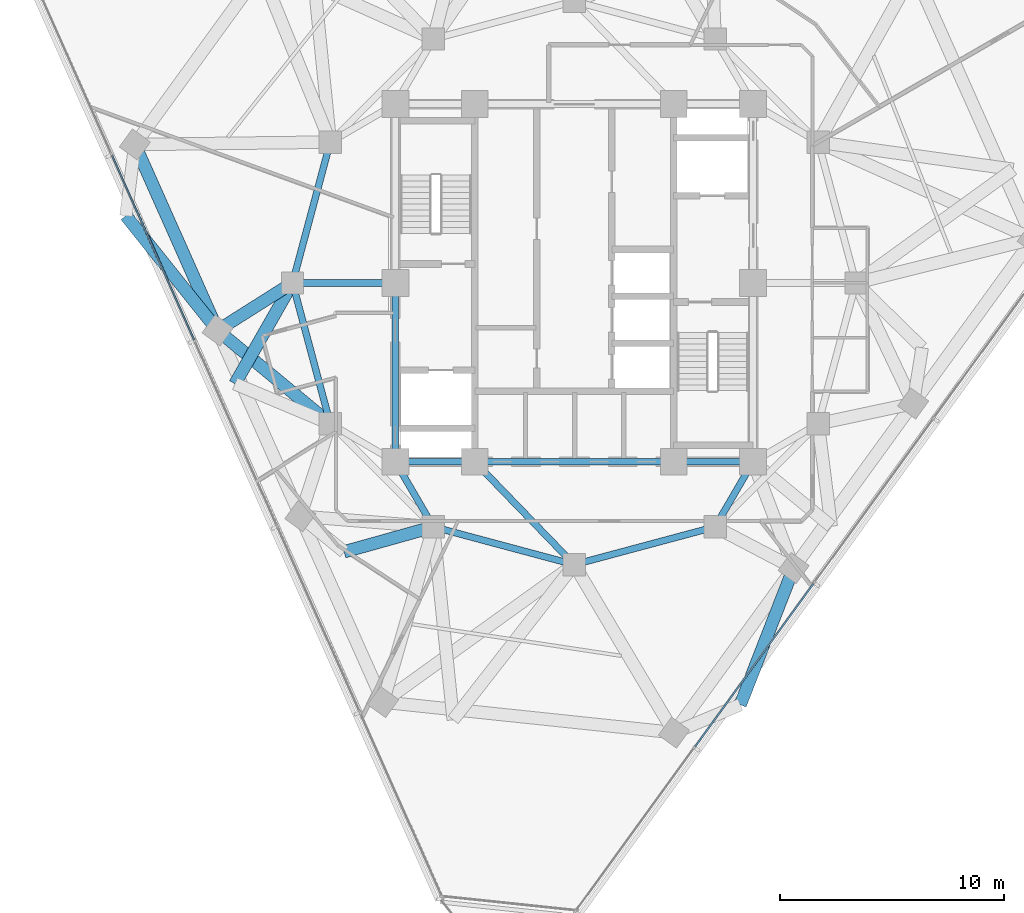
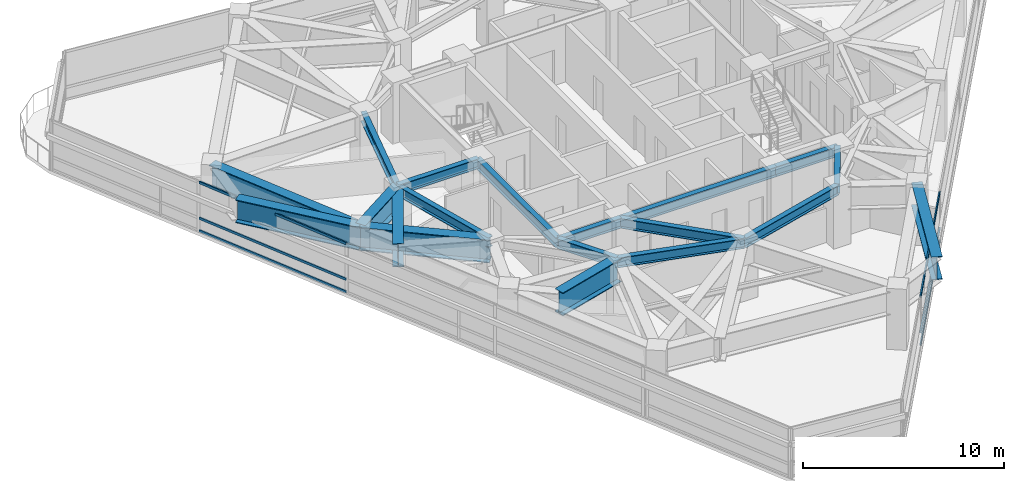
# One storey, part 3 of 14: 19 beams, 6 members, 2 elements without a shape of their own.
"""IFC4 building model written with IfcOpenShell, lengths in metres."""

from ifc_helpers import new_model, si_unit, direction, frame, origin, origin_2d, place, context, subcontext, project, spatial, rectangle, i_section, extrude, material, layer, layer_set, material_profile, profile_set, type_object, element, aggregate, save


model = new_model("IFC4")

# Units and contexts
model_context = context("Model", 3, precision=1e-05, world=origin(), true_north=direction((0.0, 1.0)))
body_context = subcontext(model_context, "Body", "Model", "MODEL_VIEW")
ifc_project = project(units=[si_unit("LENGTHUNIT", "METRE"), si_unit("AREAUNIT", "SQUARE_METRE"), si_unit("VOLUMEUNIT", "CUBIC_METRE"), si_unit("PLANEANGLEUNIT", "RADIAN"), si_unit("MASSUNIT", "GRAM", prefix="KILO")], contexts=[model_context])

# Site, building, storey
site_placement = place(None, origin())
site = spatial("IfcSite", under=ifc_project, at=site_placement, CompositionType="ELEMENT")
building_placement = place(site_placement, origin())
building = spatial("IfcBuilding", under=site, at=building_placement, Name="Terralouvre Media Tower", CompositionType="ELEMENT")
storey_placement = place(building_placement, frame((0.0, 0.0, 244.800048828125)))
storey = spatial("IfcBuildingStorey", under=building, at=storey_placement, Name="L63", CompositionType="ELEMENT", Elevation=244.800048828125)

# Curtain wall, members
ifc_material_1 = material(Name="Low-iron laminated double glazing with solar-control coating", Category="glass")
ifc_layer = layer(ifc_material_1, 0.1650390625, Name="Upper Executive Tower Curtain Wall CW-05")
ifc_layer_set = layer_set([ifc_layer], Name="Low-iron laminated double glazing with solar-control coating")
curtain_wall_type = type_object("IfcCurtainWallType", Name="Upper Executive Tower Curtain Wall CW-05", PredefinedType="NOTDEFINED", material=ifc_layer_set)
curtain_wall_1_placement = place(storey_placement, origin())
curtain_wall_1 = element("IfcCurtainWall", 1, at=curtain_wall_1_placement, inside=storey, type_object=curtain_wall_type, Name="L63 Facade Curtain Wall F0", PredefinedType="NOTDEFINED")
ifc_material_2 = material(Name="Anodised extruded aluminium 6063-T6", Category="aluminium")
ifc_material_profile_1 = material_profile(ifc_material_2, rectangle(XDim=0.074951171875, YDim=0.14990234375, at=origin_2d()), Name="ALU 75x150")
ifc_profile_set_1 = profile_set([ifc_material_profile_1], Name="Anodised extruded aluminium 6063-T6")
member_type = type_object("IfcMemberType", Name="Curtain-Wall Horizontal Transom TR-150", PredefinedType="USERDEFINED", material=ifc_profile_set_1)
member_1_placement = place(storey_placement, frame((5.39990234375, -20.749267578125, 0.037353515625), z_axis=(0.587772727709, 0.809026093869, 0.0), x_axis=(-0.809026093869, 0.587772727709, 0.0)))
member_1 = element("IfcMember", 2, at=member_1_placement, type_object=member_type, Name="CW-05 transom 2.1", ObjectType="TRANSOM", PredefinedType="USERDEFINED", context=body_context, shape_type="SweptSolid", body=[
    extrude(rectangle(XDim=0.074951171875, YDim=0.14990234375, at=origin_2d()), origin(), (0.0, 0.0, 1.0), 9.025146484375),
])
member_2_placement = place(storey_placement, frame((5.39990234375, -20.749267578125, 0.800048828125), z_axis=(0.587772727709, 0.809026093869, 0.0), x_axis=(-0.809026093869, 0.587772727709, 0.0)))
member_2 = element("IfcMember", 3, at=member_2_placement, type_object=member_type, Name="CW-05 transom 2.2", ObjectType="TRANSOM", PredefinedType="USERDEFINED", context=body_context, shape_type="SweptSolid", body=[
    extrude(rectangle(XDim=0.074951171875, YDim=0.14990234375, at=origin_2d()), origin(), (0.0, 0.0, 1.0), 9.025146484375),
])
member_3_placement = place(storey_placement, frame((5.39990234375, -20.749267578125, 2.96240234375), z_axis=(0.587772727709, 0.809026093869, 0.0), x_axis=(-0.809026093869, 0.587772727709, 0.0)))
member_3 = element("IfcMember", 4, at=member_3_placement, type_object=member_type, Name="CW-05 transom 2.3", ObjectType="TRANSOM", PredefinedType="USERDEFINED", context=body_context, shape_type="SweptSolid", body=[
    extrude(rectangle(XDim=0.074951171875, YDim=0.14990234375, at=origin_2d()), origin(), (0.0, 0.0, 1.0), 9.025146484375),
])
aggregate(curtain_wall_1, [member_1, member_2, member_3])

curtain_wall_2_placement = place(storey_placement, origin())
curtain_wall_2 = element("IfcCurtainWall", 5, at=curtain_wall_2_placement, inside=storey, type_object=curtain_wall_type, Name="L63 Facade Curtain Wall F2", PredefinedType="NOTDEFINED")
member_4_placement = place(storey_placement, frame((-20.66943359375, 5.6982421875, 0.037353515625), z_axis=(0.406740753437, -0.913543627581, 0.0), x_axis=(0.913543627581, 0.406740753437, 0.0)))
member_4 = element("IfcMember", 6, at=member_4_placement, type_object=member_type, Name="CW-05 transom 2.1", ObjectType="TRANSOM", PredefinedType="USERDEFINED", context=body_context, shape_type="SweptSolid", body=[
    extrude(rectangle(XDim=0.074951171875, YDim=0.14990234375, at=origin_2d()), origin(), (0.0, 0.0, 1.0), 9.025146484375),
])
member_5_placement = place(storey_placement, frame((-20.66943359375, 5.6982421875, 0.800048828125), z_axis=(0.406740753437, -0.913543627581, 0.0), x_axis=(0.913543627581, 0.406740753437, 0.0)))
member_5 = element("IfcMember", 7, at=member_5_placement, type_object=member_type, Name="CW-05 transom 2.2", ObjectType="TRANSOM", PredefinedType="USERDEFINED", context=body_context, shape_type="SweptSolid", body=[
    extrude(rectangle(XDim=0.074951171875, YDim=0.14990234375, at=origin_2d()), origin(), (0.0, 0.0, 1.0), 9.025146484375),
])
member_6_placement = place(storey_placement, frame((-20.66943359375, 5.6982421875, 2.96240234375), z_axis=(0.406740753437, -0.913543627581, 0.0), x_axis=(0.913543627581, 0.406740753437, 0.0)))
member_6 = element("IfcMember", 8, at=member_6_placement, type_object=member_type, Name="CW-05 transom 2.3", ObjectType="TRANSOM", PredefinedType="USERDEFINED", context=body_context, shape_type="SweptSolid", body=[
    extrude(rectangle(XDim=0.074951171875, YDim=0.14990234375, at=origin_2d()), origin(), (0.0, 0.0, 1.0), 9.025146484375),
])
aggregate(curtain_wall_2, [member_4, member_5, member_6])

# Beams
ifc_material_3 = material(Name="Structural steel S460M", Category="steel")
ifc_material_profile_2 = material_profile(ifc_material_3, i_section(OverallWidth=0.300048828125, OverallDepth=0.60009765625, WebThickness=0.015380859375, FlangeThickness=0.030029296875, at=origin_2d()), Name="HEB 600")
ifc_profile_set_2 = profile_set([ifc_material_profile_2], Name="Structural steel S460M")
beam_type_1 = type_object("IfcBeamType", Name="Primary Floor Girder B-HEB600 (HEB 600)", PredefinedType="BEAM", material=ifc_profile_set_2)
beam_1_placement = place(storey_placement, frame((-8.0, -8.0, 3.199951171875), z_axis=(1.0, 0.0, 0.0), x_axis=(0.0, 1.0, 0.0)))
element("IfcBeam", 9, at=beam_1_placement, inside=storey, type_object=beam_type_1, Name="L63 Framing Beam BM-L63-CPR01", PredefinedType="BEAM", context=body_context, shape_type="SweptSolid", body=[
    extrude(i_section(OverallWidth=0.300048828125, OverallDepth=0.60009765625, WebThickness=0.015380859375, FlangeThickness=0.030029296875, at=origin_2d()), origin(), (0.0, 0.0, 1.0), 3.550048828125),
])
beam_2_placement = place(storey_placement, frame((-4.449951171875, -8.0, 3.199951171875), z_axis=(1.0, 0.0, 0.0), x_axis=(0.0, 1.0, 0.0)))
element("IfcBeam", 10, at=beam_2_placement, inside=storey, type_object=beam_type_1, Name="L63 Framing Beam BM-L63-CPR02", PredefinedType="BEAM", context=body_context, shape_type="SweptSolid", body=[
    extrude(i_section(OverallWidth=0.300048828125, OverallDepth=0.60009765625, WebThickness=0.015380859375, FlangeThickness=0.030029296875, at=origin_2d()), origin(), (0.0, 0.0, 1.0), 8.89990234375),
])
beam_3_placement = place(storey_placement, frame((4.449951171875, -8.0, 3.199951171875), z_axis=(1.0, 0.0, 0.0), x_axis=(0.0, 1.0, 0.0)))
element("IfcBeam", 11, at=beam_3_placement, inside=storey, type_object=beam_type_1, Name="L63 Framing Beam BM-L63-CPR03", PredefinedType="BEAM", context=body_context, shape_type="SweptSolid", body=[
    extrude(i_section(OverallWidth=0.300048828125, OverallDepth=0.60009765625, WebThickness=0.015380859375, FlangeThickness=0.030029296875, at=origin_2d()), origin(), (0.0, 0.0, 1.0), 3.550048828125),
])
beam_4_placement = place(storey_placement, frame((-8.0, 0.0, 3.199951171875), z_axis=(0.0, -1.0, 0.0), x_axis=(1.0, 0.0, 0.0)))
element("IfcBeam", 12, at=beam_4_placement, inside=storey, type_object=beam_type_1, Name="L63 Framing Beam BM-L63-CPR10", PredefinedType="BEAM", context=body_context, shape_type="SweptSolid", body=[
    extrude(i_section(OverallWidth=0.300048828125, OverallDepth=0.60009765625, WebThickness=0.015380859375, FlangeThickness=0.030029296875, at=origin_2d()), origin(), (0.0, 0.0, 1.0), 8.0),
])
for number, where, z_axis, x_axis, name in (
    (13, (-6.300048828125, -10.911865234375, 3.199951171875), (0.965920481897, -0.258838989821, 0.0), (0.258838989821, 0.965920481897, 0.0), "L63 Framing Beam BM-L63-MR02"),
    (14, (0.0, -12.60009765625, 3.199951171875), (0.965920481897, 0.258838989821, 0.0), (-0.258838989821, 0.965920481897, 0.0), "L63 Framing Beam BM-L63-MR03"),
    (15, (-10.911865234375, 6.300048828125, 3.199951171875), (-0.258838989821, -0.965920481897, 0.0), (0.965920481897, -0.258838989821, 0.0), "L63 Framing Beam BM-L63-MR11"),
    (16, (-12.60009765625, 0.0, 3.199951171875), (0.258838989821, -0.965920481897, 0.0), (0.965920481897, 0.258838989821, 0.0), "L63 Framing Beam BM-L63-MR12"),
):
    element("IfcBeam", number, at=place(storey_placement, frame(where, z_axis=z_axis, x_axis=x_axis)), inside=storey, type_object=beam_type_1, Name=name, PredefinedType="BEAM", context=body_context, shape_type="SweptSolid", body=[
        extrude(i_section(OverallWidth=0.300048828125, OverallDepth=0.60009765625, WebThickness=0.015380859375, FlangeThickness=0.030029296875, at=origin_2d()), origin(), (0.0, 0.0, 1.0), 6.522216796875),
    ])
beam_5_placement = place(storey_placement, frame((-8.0, -8.0, 3.199951171875), z_axis=(0.504172629717, -0.863602894532, 0.0), x_axis=(0.863602894532, 0.504172629717, 0.0)))
element("IfcBeam", 17, at=beam_5_placement, inside=storey, type_object=beam_type_1, Name="L63 Framing Beam BM-L63-CM02", PredefinedType="BEAM", context=body_context, shape_type="SweptSolid", body=[
    extrude(i_section(OverallWidth=0.300048828125, OverallDepth=0.60009765625, WebThickness=0.015380859375, FlangeThickness=0.030029296875, at=origin_2d()), origin(), (0.0, 0.0, 1.0), 3.371826171875),
])
beam_6_placement = place(storey_placement, frame((-4.449951171875, -8.0, 3.199951171875), z_axis=(0.695279715726, -0.718739255155, 0.0), x_axis=(0.718739255155, 0.695279715726, 0.0)))
element("IfcBeam", 18, at=beam_6_placement, inside=storey, type_object=beam_type_1, Name="L63 Framing Beam BM-L63-CM03", PredefinedType="BEAM", context=body_context, shape_type="SweptSolid", body=[
    extrude(i_section(OverallWidth=0.300048828125, OverallDepth=0.60009765625, WebThickness=0.015380859375, FlangeThickness=0.030029296875, at=origin_2d()), origin(), (0.0, 0.0, 1.0), 6.400146484375),
])
beam_7_placement = place(storey_placement, frame((8.0, -8.0, 3.199951171875), z_axis=(-0.504172629717, -0.863602894532, 0.0), x_axis=(0.863602894532, -0.504172629717, 0.0)))
element("IfcBeam", 19, at=beam_7_placement, inside=storey, type_object=beam_type_1, Name="L63 Framing Beam BM-L63-CM04", PredefinedType="BEAM", context=body_context, shape_type="SweptSolid", body=[
    extrude(i_section(OverallWidth=0.300048828125, OverallDepth=0.60009765625, WebThickness=0.015380859375, FlangeThickness=0.030029296875, at=origin_2d()), origin(), (0.0, 0.0, 1.0), 3.371826171875),
])
beam_8_placement = place(storey_placement, frame((-8.0, 0.0, 3.199951171875), z_axis=(-1.0, 0.0, 0.0), x_axis=(0.0, -1.0, 0.0)))
element("IfcBeam", 20, at=beam_8_placement, inside=storey, type_object=beam_type_1, Name="L63 Framing Beam BM-L63-CM12", PredefinedType="BEAM", context=body_context, shape_type="SweptSolid", body=[
    extrude(i_section(OverallWidth=0.300048828125, OverallDepth=0.60009765625, WebThickness=0.015380859375, FlangeThickness=0.030029296875, at=origin_2d()), origin(), (0.0, 0.0, 1.0), 4.60009765625),
])
ifc_material_4 = material(Name="Structural steel S460M", Category="steel")
ifc_material_profile_3 = material_profile(ifc_material_4, i_section(OverallWidth=0.56005859375, OverallDepth=1.39990234375, WebThickness=0.031982421875, FlangeThickness=0.050048828125, at=origin_2d()), Name="TG 1400x560")
ifc_profile_set_3 = profile_set([ifc_material_profile_3], Name="Structural steel S460M")
beam_type_2 = type_object("IfcBeamType", Name="Welded Transfer Girder TG-1400 (TG 1400x560)", PredefinedType="USERDEFINED", material=ifc_profile_set_3)
beam_9_placement = place(storey_placement, frame((-19.65234375, 6.192138671875, 2.800048828125), z_axis=(0.406738273219, -0.913544731854, 0.0), x_axis=(0.913544731854, 0.406738273219, 0.0)))
element("IfcBeam", 21, at=beam_9_placement, inside=storey, type_object=beam_type_2, Name="L63 Framing Beam BM-L63-PR12", ObjectType="TRANSFER GIRDER", PredefinedType="USERDEFINED", context=body_context, shape_type="SweptSolid", body=[
    extrude(i_section(OverallWidth=0.56005859375, OverallDepth=1.39990234375, WebThickness=0.031982421875, FlangeThickness=0.050048828125, at=origin_2d()), origin(), (0.0, 0.0, 1.0), 9.100341796875),
])
beam_10_placement = place(storey_placement, frame((-12.60009765625, 0.0, 2.800048828125), z_axis=(-0.844916454891, -0.534898293373, 0.0), x_axis=(0.534898293373, -0.844916454891, 0.0)))
element("IfcBeam", 22, at=beam_10_placement, inside=storey, type_object=beam_type_2, Name="L63 Framing Beam BM-L63-RD01", ObjectType="TRANSFER GIRDER", PredefinedType="USERDEFINED", context=body_context, shape_type="SweptSolid", body=[
    extrude(i_section(OverallWidth=0.56005859375, OverallDepth=1.39990234375, WebThickness=0.031982421875, FlangeThickness=0.050048828125, at=origin_2d()), origin(), (0.0, 0.0, 1.0), 3.9658203125),
])
beam_11_placement = place(storey_placement, frame((7.42626953125, -18.867919921875, 2.800048828125), z_axis=(0.363553508081, 0.931573317975, 0.0), x_axis=(-0.931573317975, 0.363553508081, 0.0)))
element("IfcBeam", 23, at=beam_11_placement, inside=storey, type_object=beam_type_2, Name="L63 Framing Beam BM-L63-TR01S2", ObjectType="TRANSFER GIRDER", PredefinedType="USERDEFINED", context=body_context, shape_type="SweptSolid", body=[
    extrude(i_section(OverallWidth=0.56005859375, OverallDepth=1.39990234375, WebThickness=0.031982421875, FlangeThickness=0.050048828125, at=origin_2d()), origin(), (0.0, 0.0, 1.0), 6.563720703125),
])
beam_12_placement = place(storey_placement, frame((-20.05322265625, 3.002685546875, 2.800048828125), z_axis=(0.624980769071, -0.780640146477, 0.0), x_axis=(0.780640146477, 0.624980769071, 0.0)))
element("IfcBeam", 24, at=beam_12_placement, inside=storey, type_object=beam_type_2, Name="L63 Framing Beam BM-L63-TR09S2", ObjectType="TRANSFER GIRDER", PredefinedType="USERDEFINED", context=body_context, shape_type="SweptSolid", body=[
    extrude(i_section(OverallWidth=0.56005859375, OverallDepth=1.39990234375, WebThickness=0.031982421875, FlangeThickness=0.050048828125, at=origin_2d()), origin(), (0.0, 0.0, 1.0), 6.56396484375),
])
beam_13_placement = place(storey_placement, frame((-15.950927734375, -2.121337890625, 2.800048828125), z_axis=(0.769759748216, -0.638333713685, 0.0), x_axis=(0.638333713685, 0.769759748216, 0.0)))
element("IfcBeam", 25, at=beam_13_placement, inside=storey, type_object=beam_type_2, Name="L63 Framing Beam BM-L63-TRC10", ObjectType="TRANSFER GIRDER", PredefinedType="USERDEFINED", context=body_context, shape_type="SweptSolid", body=[
    extrude(i_section(OverallWidth=0.56005859375, OverallDepth=1.39990234375, WebThickness=0.031982421875, FlangeThickness=0.050048828125, at=origin_2d()), origin(), (0.0, 0.0, 1.0), 6.54638671875),
])
beam_14_placement = place(storey_placement, frame((-15.17333984375, -4.51171875, 2.800048828125), z_axis=(0.495430086055, 0.868647816915, 0.0), x_axis=(-0.868647816915, 0.495430086055, 0.0)))
element("IfcBeam", 26, at=beam_14_placement, inside=storey, type_object=beam_type_2, Name="L63 Framing Beam BM-L63-TR10S2", ObjectType="TRANSFER GIRDER", PredefinedType="USERDEFINED", context=body_context, shape_type="SweptSolid", body=[
    extrude(i_section(OverallWidth=0.56005859375, OverallDepth=1.39990234375, WebThickness=0.031982421875, FlangeThickness=0.050048828125, at=origin_2d()), origin(), (0.0, 0.0, 1.0), 5.19384765625),
])
beam_15_placement = place(storey_placement, frame((-10.293212890625, -12.0263671875, 2.800048828125), z_axis=(0.963188145668, 0.268828190571, 0.0), x_axis=(-0.268828190571, 0.963188145668, 0.0)))
element("IfcBeam", 27, at=beam_15_placement, inside=storey, type_object=beam_type_2, Name="L63 Framing Beam BM-L63-TR11S2", ObjectType="TRANSFER GIRDER", PredefinedType="USERDEFINED", context=body_context, shape_type="SweptSolid", body=[
    extrude(i_section(OverallWidth=0.56005859375, OverallDepth=1.39990234375, WebThickness=0.031982421875, FlangeThickness=0.050048828125, at=origin_2d()), origin(), (0.0, 0.0, 1.0), 4.145751953125),
])

save(model, "model.ifc")
